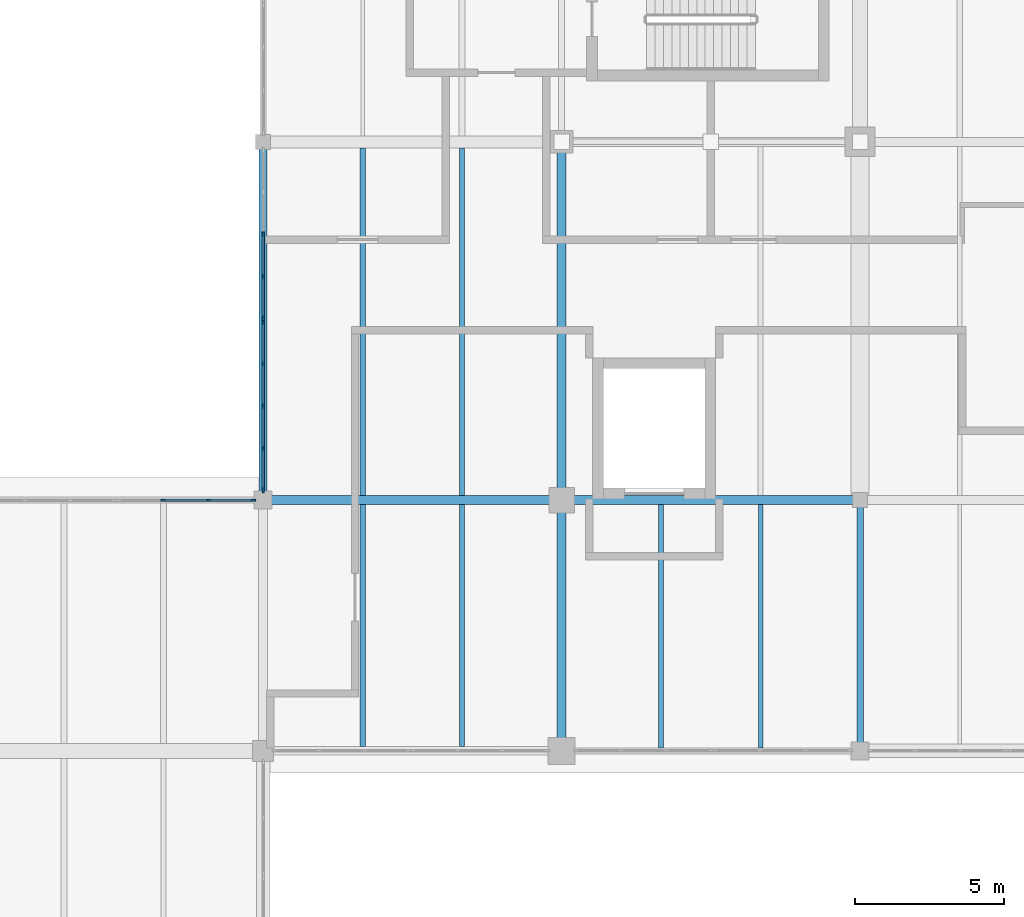
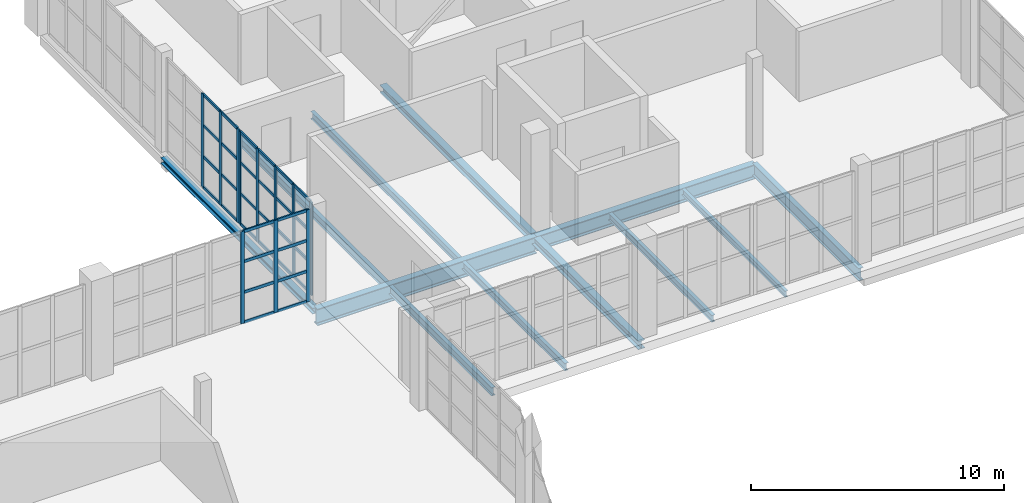
# One storey, part 67 of 121: 43 members, 12 beams, 3 elements without a shape of their own.
"""IFC4 building model written with IfcOpenShell, lengths in metres."""

from ifc_helpers import new_model, si_unit, direction, frame, origin, origin_2d, place, context, subcontext, project, spatial, rectangle, i_section, extrude, material, layer, layer_set, material_profile, profile_set, type_object, element, aggregate, save


model = new_model("IFC4")

# Units and contexts
model_context = context("Model", 3, precision=1e-05, world=origin(), true_north=direction((0.0, 1.0)))
body_context = subcontext(model_context, "Body", "Model", "MODEL_VIEW")
ifc_project = project(units=[si_unit("LENGTHUNIT", "METRE"), si_unit("AREAUNIT", "SQUARE_METRE"), si_unit("VOLUMEUNIT", "CUBIC_METRE"), si_unit("PLANEANGLEUNIT", "RADIAN"), si_unit("MASSUNIT", "GRAM", prefix="KILO")], contexts=[model_context])

# Site, building, storey
site_placement = place(None, origin())
site = spatial("IfcSite", under=ifc_project, at=site_placement, CompositionType="ELEMENT")
building_placement = place(site_placement, origin())
building = spatial("IfcBuilding", under=site, at=building_placement, Name="Zereglee Splitstone Museum", CompositionType="ELEMENT")
storey_placement = place(building_placement, origin())
storey = spatial("IfcBuildingStorey", under=building, at=storey_placement, Name="L00", CompositionType="ELEMENT", Elevation=0.0)

# Curtain wall, members
ifc_material_1 = material(Name="Triple-glazed low-E argon glass and bronze-anodised aluminium", Category="aluminium")
ifc_layer_1 = layer(ifc_material_1, 0.179931640625)
ifc_layer_set_1 = layer_set([ifc_layer_1], Name="Triple-glazed low-E argon glass and bronze-anodised aluminium")
curtain_wall_type_1 = type_object("IfcCurtainWallType", Name="CW-0568-450", PredefinedType="USERDEFINED", material=ifc_layer_set_1)
curtain_wall_1_placement = place(storey_placement, origin())
curtain_wall_1 = element("IfcCurtainWall", 1, at=curtain_wall_1_placement, inside=storey, type_object=curtain_wall_type_1, Name="Glazed Curtain Wall CW-0568-450 (L00)", ObjectType="GLAZED CURTAIN WALL", PredefinedType="USERDEFINED")
ifc_material_2 = material(Name="Thermally broken bronze-anodised aluminium", Category="aluminium")
ifc_material_profile_1 = material_profile(ifc_material_2, rectangle(XDim=0.06494140625, YDim=0.179931640625, at=origin_2d()), Name="CW MULL 65x180")
ifc_profile_set_1 = profile_set([ifc_material_profile_1], Name="Thermally broken bronze-anodised aluminium")
member_type_1 = type_object("IfcMemberType", Name="CWM-01", PredefinedType="MULLION", material=ifc_profile_set_1)
member_1_placement = place(storey_placement, frame((296.0, 47.303466796875, 0.0), z_axis=(0.0, 0.0, 1.0), x_axis=(1.0, 0.0, 0.0)))
member_1 = element("IfcMember", 2, at=member_1_placement, type_object=member_type_1, Name="CW-0568-450 mullion 3", PredefinedType="MULLION", context=body_context, shape_type="SweptSolid", body=[
    extrude(rectangle(XDim=0.06494140625, YDim=0.179931640625, at=origin_2d()), origin(), (0.0, 0.0, 1.0), 4.5),
])
member_2_placement = place(storey_placement, frame((296.0, 45.88427734375, 0.0), z_axis=(0.0, 0.0, 1.0), x_axis=(1.0, 0.0, 0.0)))
member_2 = element("IfcMember", 3, at=member_2_placement, type_object=member_type_1, Name="CW-0568-450 mullion 4", PredefinedType="MULLION", context=body_context, shape_type="SweptSolid", body=[
    extrude(rectangle(XDim=0.06494140625, YDim=0.179931640625, at=origin_2d()), origin(), (0.0, 0.0, 1.0), 4.5),
])
member_3_placement = place(storey_placement, frame((296.0, 44.49755859375, 0.0), z_axis=(0.0, 0.0, 1.0), x_axis=(1.0, 0.0, 0.0)))
member_3 = element("IfcMember", 4, at=member_3_placement, type_object=member_type_1, Name="CW-0568-450 mullion 5", PredefinedType="MULLION", context=body_context, shape_type="SweptSolid", body=[
    extrude(rectangle(XDim=0.06494140625, YDim=0.179931640625, at=origin_2d()), origin(), (0.0, 0.0, 1.0), 4.5),
])

ifc_layer_2 = layer(ifc_material_1, 0.179931640625)
ifc_layer_set_2 = layer_set([ifc_layer_2], Name="Triple-glazed low-E argon glass and bronze-anodised aluminium")
curtain_wall_type_2 = type_object("IfcCurtainWallType", Name="CW-0568-448", PredefinedType="USERDEFINED", material=ifc_layer_set_2)
curtain_wall_2_placement = place(storey_placement, origin())
curtain_wall_2 = element("IfcCurtainWall", 5, at=curtain_wall_2_placement, inside=storey, type_object=curtain_wall_type_2, Name="Glazed Curtain Wall CW-0568-448 (L00)", ObjectType="GLAZED CURTAIN WALL", PredefinedType="USERDEFINED")
member_4_placement = place(storey_placement, frame((296.0, 44.3525390625, 0.0), z_axis=(0.0, 0.0, 1.0), x_axis=(1.0, 0.0, 0.0)))
member_4 = element("IfcMember", 6, at=member_4_placement, type_object=member_type_1, Name="CW-0568-448 mullion 1", PredefinedType="MULLION", context=body_context, shape_type="SweptSolid", body=[
    extrude(rectangle(XDim=0.06494140625, YDim=0.179931640625, at=origin_2d()), origin(), (0.0, 0.0, 1.0), 4.47998046875),
])
member_5_placement = place(storey_placement, frame((296.0, 42.9658203125, 0.0), z_axis=(0.0, 0.0, 1.0), x_axis=(1.0, 0.0, 0.0)))
member_5 = element("IfcMember", 7, at=member_5_placement, type_object=member_type_1, Name="CW-0568-448 mullion 2", PredefinedType="MULLION", context=body_context, shape_type="SweptSolid", body=[
    extrude(rectangle(XDim=0.06494140625, YDim=0.179931640625, at=origin_2d()), origin(), (0.0, 0.0, 1.0), 4.47998046875),
])
member_6_placement = place(storey_placement, frame((296.0, 41.54638671875, 0.0), z_axis=(0.0, 0.0, 1.0), x_axis=(1.0, 0.0, 0.0)))
member_6 = element("IfcMember", 8, at=member_6_placement, type_object=member_type_1, Name="CW-0568-448 mullion 3", PredefinedType="MULLION", context=body_context, shape_type="SweptSolid", body=[
    extrude(rectangle(XDim=0.06494140625, YDim=0.179931640625, at=origin_2d()), origin(), (0.0, 0.0, 1.0), 4.47998046875),
])
member_7_placement = place(storey_placement, frame((296.0, 40.127197265625, 0.0), z_axis=(0.0, 0.0, 1.0), x_axis=(1.0, 0.0, 0.0)))
member_7 = element("IfcMember", 9, at=member_7_placement, type_object=member_type_1, Name="CW-0568-448 mullion 4", PredefinedType="MULLION", context=body_context, shape_type="SweptSolid", body=[
    extrude(rectangle(XDim=0.06494140625, YDim=0.179931640625, at=origin_2d()), origin(), (0.0, 0.0, 1.0), 4.47998046875),
])
member_8_placement = place(storey_placement, frame((296.0, 38.740478515625, 0.0), z_axis=(0.0, 0.0, 1.0), x_axis=(1.0, 0.0, 0.0)))
member_8 = element("IfcMember", 10, at=member_8_placement, type_object=member_type_1, Name="CW-0568-448 mullion 5", PredefinedType="MULLION", context=body_context, shape_type="SweptSolid", body=[
    extrude(rectangle(XDim=0.06494140625, YDim=0.179931640625, at=origin_2d()), origin(), (0.0, 0.0, 1.0), 4.47998046875),
])

ifc_layer_3 = layer(ifc_material_1, 0.179931640625)
ifc_layer_set_3 = layer_set([ifc_layer_3], Name="Triple-glazed low-E argon glass and bronze-anodised aluminium")
curtain_wall_type_3 = type_object("IfcCurtainWallType", Name="CW-0455-444", PredefinedType="USERDEFINED", material=ifc_layer_set_3)
curtain_wall_3_placement = place(storey_placement, origin())
curtain_wall_3 = element("IfcCurtainWall", 11, at=curtain_wall_3_placement, inside=storey, type_object=curtain_wall_type_3, Name="Glazed Curtain Wall CW-0455-444 (L00)", ObjectType="GLAZED CURTAIN WALL", PredefinedType="USERDEFINED")
member_9_placement = place(storey_placement, frame((295.659423828125, 38.39990234375, 0.0), z_axis=(0.0, 0.0, 1.0), x_axis=(0.0, -1.0, 0.0)))
member_9 = element("IfcMember", 12, at=member_9_placement, type_object=member_type_1, Name="CW-0455-444 mullion 1", PredefinedType="MULLION", context=body_context, shape_type="SweptSolid", body=[
    extrude(rectangle(XDim=0.06494140625, YDim=0.179931640625, at=origin_2d()), origin(), (0.0, 0.0, 1.0), 4.43994140625),
])
member_10_placement = place(storey_placement, frame((294.174560546875, 38.39990234375, 0.0), z_axis=(0.0, 0.0, 1.0), x_axis=(0.0, -1.0, 0.0)))
member_10 = element("IfcMember", 13, at=member_10_placement, type_object=member_type_1, Name="CW-0455-444 mullion 2", PredefinedType="MULLION", context=body_context, shape_type="SweptSolid", body=[
    extrude(rectangle(XDim=0.06494140625, YDim=0.179931640625, at=origin_2d()), origin(), (0.0, 0.0, 1.0), 4.43994140625),
])
member_11_placement = place(storey_placement, frame((292.6572265625, 38.39990234375, 0.0), z_axis=(0.0, 0.0, 1.0), x_axis=(0.0, -1.0, 0.0)))
member_11 = element("IfcMember", 14, at=member_11_placement, type_object=member_type_1, Name="CW-0455-444 mullion 3", PredefinedType="MULLION", context=body_context, shape_type="SweptSolid", body=[
    extrude(rectangle(XDim=0.06494140625, YDim=0.179931640625, at=origin_2d()), origin(), (0.0, 0.0, 1.0), 4.43994140625),
])

# Member
ifc_material_profile_2 = material_profile(ifc_material_2, rectangle(XDim=0.06494140625, YDim=0.139892578125, at=origin_2d()), Name="CW TRAN 65x140")
ifc_profile_set_2 = profile_set([ifc_material_profile_2], Name="Thermally broken bronze-anodised aluminium")
member_type_2 = type_object("IfcMemberType", Name="CWT-01", PredefinedType="USERDEFINED", material=ifc_profile_set_2)
member_12_placement = place(storey_placement, frame((296.0, 47.27099609375, 0.032470703125), z_axis=(0.0, -1.0, 0.0), x_axis=(1.0, 0.0, 0.0)))
member_12 = element("IfcMember", 15, at=member_12_placement, type_object=member_type_2, Name="CW-0568-450 transom 3.1", ObjectType="TRANSOM", PredefinedType="USERDEFINED", context=body_context, shape_type="SweptSolid", body=[
    extrude(rectangle(XDim=0.06494140625, YDim=0.139892578125, at=origin_2d()), origin(), (0.0, 0.0, 1.0), 1.354248046875),
])

member_13_placement = place(storey_placement, frame((296.0, 47.27099609375, 1.5), z_axis=(0.0, -1.0, 0.0), x_axis=(1.0, 0.0, 0.0)))
member_13 = element("IfcMember", 16, at=member_13_placement, type_object=member_type_2, Name="CW-0568-450 transom 3.2", ObjectType="TRANSOM", PredefinedType="USERDEFINED", context=body_context, shape_type="SweptSolid", body=[
    extrude(rectangle(XDim=0.06494140625, YDim=0.139892578125, at=origin_2d()), origin(), (0.0, 0.0, 1.0), 1.354248046875),
])

member_14_placement = place(storey_placement, frame((296.0, 47.27099609375, 3.0), z_axis=(0.0, -1.0, 0.0), x_axis=(1.0, 0.0, 0.0)))
member_14 = element("IfcMember", 17, at=member_14_placement, type_object=member_type_2, Name="CW-0568-450 transom 3.3", ObjectType="TRANSOM", PredefinedType="USERDEFINED", context=body_context, shape_type="SweptSolid", body=[
    extrude(rectangle(XDim=0.06494140625, YDim=0.139892578125, at=origin_2d()), origin(), (0.0, 0.0, 1.0), 1.354248046875),
])

member_15_placement = place(storey_placement, frame((296.0, 47.27099609375, 4.467529296875), z_axis=(0.0, -1.0, 0.0), x_axis=(1.0, 0.0, 0.0)))
member_15 = element("IfcMember", 18, at=member_15_placement, type_object=member_type_2, Name="CW-0568-450 transom 3.4", ObjectType="TRANSOM", PredefinedType="USERDEFINED", context=body_context, shape_type="SweptSolid", body=[
    extrude(rectangle(XDim=0.06494140625, YDim=0.139892578125, at=origin_2d()), origin(), (0.0, 0.0, 1.0), 1.354248046875),
])

member_16_placement = place(storey_placement, frame((296.0, 45.851806640625, 0.032470703125), z_axis=(0.0, -1.0, 0.0), x_axis=(1.0, 0.0, 0.0)))
member_16 = element("IfcMember", 19, at=member_16_placement, type_object=member_type_2, Name="CW-0568-450 transom 4.1", ObjectType="TRANSOM", PredefinedType="USERDEFINED", context=body_context, shape_type="SweptSolid", body=[
    extrude(rectangle(XDim=0.06494140625, YDim=0.139892578125, at=origin_2d()), origin(), (0.0, 0.0, 1.0), 1.32177734375),
])

member_17_placement = place(storey_placement, frame((296.0, 45.851806640625, 1.5), z_axis=(0.0, -1.0, 0.0), x_axis=(1.0, 0.0, 0.0)))
member_17 = element("IfcMember", 20, at=member_17_placement, type_object=member_type_2, Name="CW-0568-450 transom 4.2", ObjectType="TRANSOM", PredefinedType="USERDEFINED", context=body_context, shape_type="SweptSolid", body=[
    extrude(rectangle(XDim=0.06494140625, YDim=0.139892578125, at=origin_2d()), origin(), (0.0, 0.0, 1.0), 1.32177734375),
])

member_18_placement = place(storey_placement, frame((296.0, 45.851806640625, 3.0), z_axis=(0.0, -1.0, 0.0), x_axis=(1.0, 0.0, 0.0)))
member_18 = element("IfcMember", 21, at=member_18_placement, type_object=member_type_2, Name="CW-0568-450 transom 4.3", ObjectType="TRANSOM", PredefinedType="USERDEFINED", context=body_context, shape_type="SweptSolid", body=[
    extrude(rectangle(XDim=0.06494140625, YDim=0.139892578125, at=origin_2d()), origin(), (0.0, 0.0, 1.0), 1.32177734375),
])

member_19_placement = place(storey_placement, frame((296.0, 45.851806640625, 4.467529296875), z_axis=(0.0, -1.0, 0.0), x_axis=(1.0, 0.0, 0.0)))
member_19 = element("IfcMember", 22, at=member_19_placement, type_object=member_type_2, Name="CW-0568-450 transom 4.4", ObjectType="TRANSOM", PredefinedType="USERDEFINED", context=body_context, shape_type="SweptSolid", body=[
    extrude(rectangle(XDim=0.06494140625, YDim=0.139892578125, at=origin_2d()), origin(), (0.0, 0.0, 1.0), 1.32177734375),
])

aggregate(curtain_wall_1, [member_1, member_2, member_3, member_12, member_13, member_14, member_15, member_16, member_17, member_18, member_19])

member_20_placement = place(storey_placement, frame((296.0, 44.320068359375, 0.032470703125), z_axis=(0.0, -1.0, 0.0), x_axis=(1.0, 0.0, 0.0)))
member_20 = element("IfcMember", 23, at=member_20_placement, type_object=member_type_2, Name="CW-0568-448 transom 1.1", ObjectType="TRANSOM", PredefinedType="USERDEFINED", context=body_context, shape_type="SweptSolid", body=[
    extrude(rectangle(XDim=0.06494140625, YDim=0.139892578125, at=origin_2d()), origin(), (0.0, 0.0, 1.0), 1.32177734375),
])

member_21_placement = place(storey_placement, frame((296.0, 44.320068359375, 1.493408203125), z_axis=(0.0, -1.0, 0.0), x_axis=(1.0, 0.0, 0.0)))
member_21 = element("IfcMember", 24, at=member_21_placement, type_object=member_type_2, Name="CW-0568-448 transom 1.2", ObjectType="TRANSOM", PredefinedType="USERDEFINED", context=body_context, shape_type="SweptSolid", body=[
    extrude(rectangle(XDim=0.06494140625, YDim=0.139892578125, at=origin_2d()), origin(), (0.0, 0.0, 1.0), 1.32177734375),
])

member_22_placement = place(storey_placement, frame((296.0, 44.320068359375, 2.98681640625), z_axis=(0.0, -1.0, 0.0), x_axis=(1.0, 0.0, 0.0)))
member_22 = element("IfcMember", 25, at=member_22_placement, type_object=member_type_2, Name="CW-0568-448 transom 1.3", ObjectType="TRANSOM", PredefinedType="USERDEFINED", context=body_context, shape_type="SweptSolid", body=[
    extrude(rectangle(XDim=0.06494140625, YDim=0.139892578125, at=origin_2d()), origin(), (0.0, 0.0, 1.0), 1.32177734375),
])

member_23_placement = place(storey_placement, frame((296.0, 44.320068359375, 4.447509765625), z_axis=(0.0, -1.0, 0.0), x_axis=(1.0, 0.0, 0.0)))
member_23 = element("IfcMember", 26, at=member_23_placement, type_object=member_type_2, Name="CW-0568-448 transom 1.4", ObjectType="TRANSOM", PredefinedType="USERDEFINED", context=body_context, shape_type="SweptSolid", body=[
    extrude(rectangle(XDim=0.06494140625, YDim=0.139892578125, at=origin_2d()), origin(), (0.0, 0.0, 1.0), 1.32177734375),
])

member_24_placement = place(storey_placement, frame((296.0, 42.933349609375, 0.032470703125), z_axis=(0.0, -1.0, 0.0), x_axis=(1.0, 0.0, 0.0)))
member_24 = element("IfcMember", 27, at=member_24_placement, type_object=member_type_2, Name="CW-0568-448 transom 2.1", ObjectType="TRANSOM", PredefinedType="USERDEFINED", context=body_context, shape_type="SweptSolid", body=[
    extrude(rectangle(XDim=0.06494140625, YDim=0.139892578125, at=origin_2d()), origin(), (0.0, 0.0, 1.0), 1.354248046875),
])

member_25_placement = place(storey_placement, frame((296.0, 42.933349609375, 1.493408203125), z_axis=(0.0, -1.0, 0.0), x_axis=(1.0, 0.0, 0.0)))
member_25 = element("IfcMember", 28, at=member_25_placement, type_object=member_type_2, Name="CW-0568-448 transom 2.2", ObjectType="TRANSOM", PredefinedType="USERDEFINED", context=body_context, shape_type="SweptSolid", body=[
    extrude(rectangle(XDim=0.06494140625, YDim=0.139892578125, at=origin_2d()), origin(), (0.0, 0.0, 1.0), 1.354248046875),
])

member_26_placement = place(storey_placement, frame((296.0, 42.933349609375, 2.98681640625), z_axis=(0.0, -1.0, 0.0), x_axis=(1.0, 0.0, 0.0)))
member_26 = element("IfcMember", 29, at=member_26_placement, type_object=member_type_2, Name="CW-0568-448 transom 2.3", ObjectType="TRANSOM", PredefinedType="USERDEFINED", context=body_context, shape_type="SweptSolid", body=[
    extrude(rectangle(XDim=0.06494140625, YDim=0.139892578125, at=origin_2d()), origin(), (0.0, 0.0, 1.0), 1.354248046875),
])

member_27_placement = place(storey_placement, frame((296.0, 42.933349609375, 4.447509765625), z_axis=(0.0, -1.0, 0.0), x_axis=(1.0, 0.0, 0.0)))
member_27 = element("IfcMember", 30, at=member_27_placement, type_object=member_type_2, Name="CW-0568-448 transom 2.4", ObjectType="TRANSOM", PredefinedType="USERDEFINED", context=body_context, shape_type="SweptSolid", body=[
    extrude(rectangle(XDim=0.06494140625, YDim=0.139892578125, at=origin_2d()), origin(), (0.0, 0.0, 1.0), 1.354248046875),
])

member_28_placement = place(storey_placement, frame((296.0, 41.513916015625, 0.032470703125), z_axis=(0.0, -1.0, 0.0), x_axis=(1.0, 0.0, 0.0)))
member_28 = element("IfcMember", 31, at=member_28_placement, type_object=member_type_2, Name="CW-0568-448 transom 3.1", ObjectType="TRANSOM", PredefinedType="USERDEFINED", context=body_context, shape_type="SweptSolid", body=[
    extrude(rectangle(XDim=0.06494140625, YDim=0.139892578125, at=origin_2d()), origin(), (0.0, 0.0, 1.0), 1.354248046875),
])

member_29_placement = place(storey_placement, frame((296.0, 41.513916015625, 1.493408203125), z_axis=(0.0, -1.0, 0.0), x_axis=(1.0, 0.0, 0.0)))
member_29 = element("IfcMember", 32, at=member_29_placement, type_object=member_type_2, Name="CW-0568-448 transom 3.2", ObjectType="TRANSOM", PredefinedType="USERDEFINED", context=body_context, shape_type="SweptSolid", body=[
    extrude(rectangle(XDim=0.06494140625, YDim=0.139892578125, at=origin_2d()), origin(), (0.0, 0.0, 1.0), 1.354248046875),
])

member_30_placement = place(storey_placement, frame((296.0, 41.513916015625, 2.98681640625), z_axis=(0.0, -1.0, 0.0), x_axis=(1.0, 0.0, 0.0)))
member_30 = element("IfcMember", 33, at=member_30_placement, type_object=member_type_2, Name="CW-0568-448 transom 3.3", ObjectType="TRANSOM", PredefinedType="USERDEFINED", context=body_context, shape_type="SweptSolid", body=[
    extrude(rectangle(XDim=0.06494140625, YDim=0.139892578125, at=origin_2d()), origin(), (0.0, 0.0, 1.0), 1.354248046875),
])

member_31_placement = place(storey_placement, frame((296.0, 41.513916015625, 4.447509765625), z_axis=(0.0, -1.0, 0.0), x_axis=(1.0, 0.0, 0.0)))
member_31 = element("IfcMember", 34, at=member_31_placement, type_object=member_type_2, Name="CW-0568-448 transom 3.4", ObjectType="TRANSOM", PredefinedType="USERDEFINED", context=body_context, shape_type="SweptSolid", body=[
    extrude(rectangle(XDim=0.06494140625, YDim=0.139892578125, at=origin_2d()), origin(), (0.0, 0.0, 1.0), 1.354248046875),
])

member_32_placement = place(storey_placement, frame((296.0, 40.0947265625, 0.032470703125), z_axis=(0.0, -1.0, 0.0), x_axis=(1.0, 0.0, 0.0)))
member_32 = element("IfcMember", 35, at=member_32_placement, type_object=member_type_2, Name="CW-0568-448 transom 4.1", ObjectType="TRANSOM", PredefinedType="USERDEFINED", context=body_context, shape_type="SweptSolid", body=[
    extrude(rectangle(XDim=0.06494140625, YDim=0.139892578125, at=origin_2d()), origin(), (0.0, 0.0, 1.0), 1.32177734375),
])

member_33_placement = place(storey_placement, frame((296.0, 40.0947265625, 1.493408203125), z_axis=(0.0, -1.0, 0.0), x_axis=(1.0, 0.0, 0.0)))
member_33 = element("IfcMember", 36, at=member_33_placement, type_object=member_type_2, Name="CW-0568-448 transom 4.2", ObjectType="TRANSOM", PredefinedType="USERDEFINED", context=body_context, shape_type="SweptSolid", body=[
    extrude(rectangle(XDim=0.06494140625, YDim=0.139892578125, at=origin_2d()), origin(), (0.0, 0.0, 1.0), 1.32177734375),
])

member_34_placement = place(storey_placement, frame((296.0, 40.0947265625, 2.98681640625), z_axis=(0.0, -1.0, 0.0), x_axis=(1.0, 0.0, 0.0)))
member_34 = element("IfcMember", 37, at=member_34_placement, type_object=member_type_2, Name="CW-0568-448 transom 4.3", ObjectType="TRANSOM", PredefinedType="USERDEFINED", context=body_context, shape_type="SweptSolid", body=[
    extrude(rectangle(XDim=0.06494140625, YDim=0.139892578125, at=origin_2d()), origin(), (0.0, 0.0, 1.0), 1.32177734375),
])

member_35_placement = place(storey_placement, frame((296.0, 40.0947265625, 4.447509765625), z_axis=(0.0, -1.0, 0.0), x_axis=(1.0, 0.0, 0.0)))
member_35 = element("IfcMember", 38, at=member_35_placement, type_object=member_type_2, Name="CW-0568-448 transom 4.4", ObjectType="TRANSOM", PredefinedType="USERDEFINED", context=body_context, shape_type="SweptSolid", body=[
    extrude(rectangle(XDim=0.06494140625, YDim=0.139892578125, at=origin_2d()), origin(), (0.0, 0.0, 1.0), 1.32177734375),
])

aggregate(curtain_wall_2, [member_4, member_5, member_6, member_7, member_8, member_20, member_21, member_22, member_23, member_24, member_25, member_26, member_27, member_28, member_29, member_30, member_31, member_32, member_33, member_34, member_35])

member_36_placement = place(storey_placement, frame((295.626953125, 38.39990234375, 0.032470703125), z_axis=(-1.0, 0.0, 0.0), x_axis=(0.0, -1.0, 0.0)))
member_36 = element("IfcMember", 39, at=member_36_placement, type_object=member_type_2, Name="CW-0455-444 transom 1.1", ObjectType="TRANSOM", PredefinedType="USERDEFINED", context=body_context, shape_type="SweptSolid", body=[
    extrude(rectangle(XDim=0.06494140625, YDim=0.139892578125, at=origin_2d()), origin(), (0.0, 0.0, 1.0), 1.419677734375),
])

member_37_placement = place(storey_placement, frame((295.626953125, 38.39990234375, 1.47998046875), z_axis=(-1.0, 0.0, 0.0), x_axis=(0.0, -1.0, 0.0)))
member_37 = element("IfcMember", 40, at=member_37_placement, type_object=member_type_2, Name="CW-0455-444 transom 1.2", ObjectType="TRANSOM", PredefinedType="USERDEFINED", context=body_context, shape_type="SweptSolid", body=[
    extrude(rectangle(XDim=0.06494140625, YDim=0.139892578125, at=origin_2d()), origin(), (0.0, 0.0, 1.0), 1.419677734375),
])

member_38_placement = place(storey_placement, frame((295.626953125, 38.39990234375, 2.9599609375), z_axis=(-1.0, 0.0, 0.0), x_axis=(0.0, -1.0, 0.0)))
member_38 = element("IfcMember", 41, at=member_38_placement, type_object=member_type_2, Name="CW-0455-444 transom 1.3", ObjectType="TRANSOM", PredefinedType="USERDEFINED", context=body_context, shape_type="SweptSolid", body=[
    extrude(rectangle(XDim=0.06494140625, YDim=0.139892578125, at=origin_2d()), origin(), (0.0, 0.0, 1.0), 1.419677734375),
])

member_39_placement = place(storey_placement, frame((295.626953125, 38.39990234375, 4.407470703125), z_axis=(-1.0, 0.0, 0.0), x_axis=(0.0, -1.0, 0.0)))
member_39 = element("IfcMember", 42, at=member_39_placement, type_object=member_type_2, Name="CW-0455-444 transom 1.4", ObjectType="TRANSOM", PredefinedType="USERDEFINED", context=body_context, shape_type="SweptSolid", body=[
    extrude(rectangle(XDim=0.06494140625, YDim=0.139892578125, at=origin_2d()), origin(), (0.0, 0.0, 1.0), 1.419677734375),
])

member_40_placement = place(storey_placement, frame((294.14208984375, 38.39990234375, 0.032470703125), z_axis=(-1.0, 0.0, 0.0), x_axis=(0.0, -1.0, 0.0)))
member_40 = element("IfcMember", 43, at=member_40_placement, type_object=member_type_2, Name="CW-0455-444 transom 2.1", ObjectType="TRANSOM", PredefinedType="USERDEFINED", context=body_context, shape_type="SweptSolid", body=[
    extrude(rectangle(XDim=0.06494140625, YDim=0.139892578125, at=origin_2d()), origin(), (0.0, 0.0, 1.0), 1.4521484375),
])

member_41_placement = place(storey_placement, frame((294.14208984375, 38.39990234375, 1.47998046875), z_axis=(-1.0, 0.0, 0.0), x_axis=(0.0, -1.0, 0.0)))
member_41 = element("IfcMember", 44, at=member_41_placement, type_object=member_type_2, Name="CW-0455-444 transom 2.2", ObjectType="TRANSOM", PredefinedType="USERDEFINED", context=body_context, shape_type="SweptSolid", body=[
    extrude(rectangle(XDim=0.06494140625, YDim=0.139892578125, at=origin_2d()), origin(), (0.0, 0.0, 1.0), 1.4521484375),
])

member_42_placement = place(storey_placement, frame((294.14208984375, 38.39990234375, 2.9599609375), z_axis=(-1.0, 0.0, 0.0), x_axis=(0.0, -1.0, 0.0)))
member_42 = element("IfcMember", 45, at=member_42_placement, type_object=member_type_2, Name="CW-0455-444 transom 2.3", ObjectType="TRANSOM", PredefinedType="USERDEFINED", context=body_context, shape_type="SweptSolid", body=[
    extrude(rectangle(XDim=0.06494140625, YDim=0.139892578125, at=origin_2d()), origin(), (0.0, 0.0, 1.0), 1.4521484375),
])

member_43_placement = place(storey_placement, frame((294.14208984375, 38.39990234375, 4.407470703125), z_axis=(-1.0, 0.0, 0.0), x_axis=(0.0, -1.0, 0.0)))
member_43 = element("IfcMember", 46, at=member_43_placement, type_object=member_type_2, Name="CW-0455-444 transom 2.4", ObjectType="TRANSOM", PredefinedType="USERDEFINED", context=body_context, shape_type="SweptSolid", body=[
    extrude(rectangle(XDim=0.06494140625, YDim=0.139892578125, at=origin_2d()), origin(), (0.0, 0.0, 1.0), 1.4521484375),
])

aggregate(curtain_wall_3, [member_9, member_10, member_11, member_36, member_37, member_38, member_39, member_40, member_41, member_42, member_43])

# Beams
ifc_material_3 = material(Name="Steel S355J2", Category="steel")
ifc_material_profile_3 = material_profile(ifc_material_3, i_section(OverallWidth=0.300048828125, OverallDepth=0.360107421875, WebThickness=0.012451171875, FlangeThickness=0.0224609375, FilletRadius=0.027099609375, at=origin_2d()), Name="HE 360 B")
ifc_profile_set_3 = profile_set([ifc_material_profile_3], Name="Steel S355J2")
beam_type_1 = type_object("IfcBeamType", Name="BG-14", PredefinedType="BEAM", material=ifc_profile_set_3)
beam_1_placement = place(storey_placement, frame((306.0, 38.39990234375, -0.60009765625), z_axis=(0.0, 1.0, 0.0), x_axis=(-1.0, 0.0, 0.0)))
element("IfcBeam", 47, at=beam_1_placement, inside=storey, type_object=beam_type_1, Name="Primary Girder L00 34 (38.4-50.4)", PredefinedType="BEAM", context=body_context, shape_type="SweptSolid", body=[
    extrude(i_section(OverallWidth=0.300048828125, OverallDepth=0.360107421875, WebThickness=0.012451171875, FlangeThickness=0.0224609375, FilletRadius=0.027099609375, at=origin_2d()), origin(), (0.0, 0.0, 1.0), 12.0),
])
ifc_material_profile_4 = material_profile(ifc_material_3, i_section(OverallWidth=0.300048828125, OverallDepth=0.39990234375, WebThickness=0.013427734375, FlangeThickness=0.02392578125, FilletRadius=0.027099609375, at=origin_2d()), Name="HE 400 B")
ifc_profile_set_4 = profile_set([ifc_material_profile_4], Name="Steel S355J2")
beam_type_2 = type_object("IfcBeamType", Name="BG-13", PredefinedType="BEAM", material=ifc_profile_set_4)
beam_2_placement = place(storey_placement, frame((306.0, 30.0, -0.6201171875), z_axis=(0.0, 1.0, 0.0), x_axis=(-1.0, 0.0, 0.0)))
element("IfcBeam", 48, at=beam_2_placement, inside=storey, type_object=beam_type_2, Name="Primary Girder L00 34 (30.0-38.4)", PredefinedType="BEAM", context=body_context, shape_type="SweptSolid", body=[
    extrude(i_section(OverallWidth=0.300048828125, OverallDepth=0.39990234375, WebThickness=0.013427734375, FlangeThickness=0.02392578125, FilletRadius=0.027099609375, at=origin_2d()), origin(), (0.0, 0.0, 1.0), 8.39990234375),
])
ifc_material_profile_5 = material_profile(ifc_material_3, i_section(OverallWidth=0.300048828125, OverallDepth=0.699951171875, WebThickness=0.01708984375, FlangeThickness=0.031982421875, FilletRadius=0.027099609375, at=origin_2d()), Name="HE 700 B")
ifc_profile_set_5 = profile_set([ifc_material_profile_5], Name="Steel S355J2")
beam_type_3 = type_object("IfcBeamType", Name="BG-08", PredefinedType="BEAM", material=ifc_profile_set_5)
beam_3_placement = place(storey_placement, frame((306.0, 38.39990234375, -0.77001953125), z_axis=(1.0, 0.0, 0.0), x_axis=(0.0, 1.0, 0.0)))
element("IfcBeam", 49, at=beam_3_placement, inside=storey, type_object=beam_type_3, Name="Primary Girder L00 E (306.0-316.0)", PredefinedType="BEAM", context=body_context, shape_type="SweptSolid", body=[
    extrude(i_section(OverallWidth=0.300048828125, OverallDepth=0.699951171875, WebThickness=0.01708984375, FlangeThickness=0.031982421875, FilletRadius=0.027099609375, at=origin_2d()), origin(), (0.0, 0.0, 1.0), 10.0),
])
ifc_material_profile_6 = material_profile(ifc_material_3, i_section(OverallWidth=0.300048828125, OverallDepth=0.800048828125, WebThickness=0.017578125, FlangeThickness=0.032958984375, FilletRadius=0.030029296875, at=origin_2d()), Name="HE 800 B")
ifc_profile_set_6 = profile_set([ifc_material_profile_6], Name="Steel S355J2")
beam_type_4 = type_object("IfcBeamType", Name="BG-07", PredefinedType="BEAM", material=ifc_profile_set_6)
beam_4_placement = place(storey_placement, frame((296.0, 38.39990234375, -0.820068359375), z_axis=(1.0, 0.0, 0.0), x_axis=(0.0, 1.0, 0.0)))
element("IfcBeam", 50, at=beam_4_placement, inside=storey, type_object=beam_type_4, Name="Primary Girder L00 E (296.0-306.0)", PredefinedType="BEAM", context=body_context, shape_type="SweptSolid", body=[
    extrude(i_section(OverallWidth=0.300048828125, OverallDepth=0.800048828125, WebThickness=0.017578125, FlangeThickness=0.032958984375, FilletRadius=0.030029296875, at=origin_2d()), origin(), (0.0, 0.0, 1.0), 10.0),
])
ifc_material_profile_7 = material_profile(ifc_material_3, i_section(OverallWidth=0.219970703125, OverallDepth=0.60009765625, WebThickness=0.011962890625, FlangeThickness=0.01904296875, FilletRadius=0.02392578125, at=origin_2d()), Name="IPE 600")
ifc_profile_set_7 = profile_set([ifc_material_profile_7], Name="Steel S355J2")
beam_type_5 = type_object("IfcBeamType", Name="BG-15", PredefinedType="BEAM", material=ifc_profile_set_7)
beam_5_placement = place(storey_placement, frame((316.0, 30.0, -0.719970703125), z_axis=(0.0, 1.0, 0.0), x_axis=(-1.0, 0.0, 0.0)))
element("IfcBeam", 51, at=beam_5_placement, inside=storey, type_object=beam_type_5, Name="Primary Girder L00 35 (30.0-38.4)", PredefinedType="BEAM", context=body_context, shape_type="SweptSolid", body=[
    extrude(i_section(OverallWidth=0.219970703125, OverallDepth=0.60009765625, WebThickness=0.011962890625, FlangeThickness=0.01904296875, FilletRadius=0.02392578125, at=origin_2d()), origin(), (0.0, 0.0, 1.0), 8.39990234375),
])
ifc_material_profile_8 = material_profile(ifc_material_3, i_section(OverallWidth=0.14990234375, OverallDepth=0.300048828125, WebThickness=0.007080078125, FlangeThickness=0.0107421875, FilletRadius=0.014892578125, at=origin_2d()), Name="IPE 300")
ifc_profile_set_8 = profile_set([ifc_material_profile_8], Name="Steel S355J2")
beam_type_6 = type_object("IfcBeamType", Name="BJ-06", PredefinedType="JOIST", material=ifc_profile_set_8)
beam_6_placement = place(storey_placement, frame((312.666748046875, 30.10009765625, -0.570068359375), z_axis=(0.0, 1.0, 0.0), x_axis=(-1.0, 0.0, 0.0)))
element("IfcBeam", 52, at=beam_6_placement, inside=storey, type_object=beam_type_6, Name="Secondary Floor Joist L00-0390", PredefinedType="JOIST", context=body_context, shape_type="SweptSolid", body=[
    extrude(i_section(OverallWidth=0.14990234375, OverallDepth=0.300048828125, WebThickness=0.007080078125, FlangeThickness=0.0107421875, FilletRadius=0.014892578125, at=origin_2d()), origin(), (0.0, 0.0, 1.0), 8.14990234375),
])
ifc_material_profile_9 = material_profile(ifc_material_3, i_section(OverallWidth=0.159912109375, OverallDepth=0.330078125, WebThickness=0.007568359375, FlangeThickness=0.011474609375, FilletRadius=0.01806640625, at=origin_2d()), Name="IPE 330")
ifc_profile_set_9 = profile_set([ifc_material_profile_9], Name="Steel S355J2")
beam_type_7 = type_object("IfcBeamType", Name="BJ-05", PredefinedType="JOIST", material=ifc_profile_set_9)
beam_7_placement = place(storey_placement, frame((309.333251953125, 30.10009765625, -0.5849609375), z_axis=(0.0, 1.0, 0.0), x_axis=(-1.0, 0.0, 0.0)))
element("IfcBeam", 53, at=beam_7_placement, inside=storey, type_object=beam_type_7, Name="Secondary Floor Joist L00-0389", PredefinedType="JOIST", context=body_context, shape_type="SweptSolid", body=[
    extrude(i_section(OverallWidth=0.159912109375, OverallDepth=0.330078125, WebThickness=0.007568359375, FlangeThickness=0.011474609375, FilletRadius=0.01806640625, at=origin_2d()), origin(), (0.0, 0.0, 1.0), 8.14990234375),
])
ifc_material_profile_10 = material_profile(ifc_material_3, i_section(OverallWidth=0.169921875, OverallDepth=0.360107421875, WebThickness=0.008056640625, FlangeThickness=0.0126953125, FilletRadius=0.01806640625, at=origin_2d()), Name="IPE 360")
ifc_profile_set_10 = profile_set([ifc_material_profile_10], Name="Steel S355J2")
beam_type_8 = type_object("IfcBeamType", Name="BJ-04", PredefinedType="JOIST", material=ifc_profile_set_10)
beam_8_placement = place(storey_placement, frame((302.666748046875, 30.139892578125, -0.60009765625), z_axis=(0.0, 1.0, 0.0), x_axis=(-1.0, 0.0, 0.0)))
element("IfcBeam", 54, at=beam_8_placement, inside=storey, type_object=beam_type_8, Name="Secondary Floor Joist L00-0388", PredefinedType="JOIST", context=body_context, shape_type="SweptSolid", body=[
    extrude(i_section(OverallWidth=0.169921875, OverallDepth=0.360107421875, WebThickness=0.008056640625, FlangeThickness=0.0126953125, FilletRadius=0.01806640625, at=origin_2d()), origin(), (0.0, 0.0, 1.0), 8.110107421875),
])
beam_9_placement = place(storey_placement, frame((302.666748046875, 38.550048828125, -0.60009765625), z_axis=(0.0, 1.0, 0.0), x_axis=(-1.0, 0.0, 0.0)))
element("IfcBeam", 55, at=beam_9_placement, inside=storey, type_object=beam_type_8, Name="Secondary Floor Joist L00-0409", PredefinedType="JOIST", context=body_context, shape_type="SweptSolid", body=[
    extrude(i_section(OverallWidth=0.169921875, OverallDepth=0.360107421875, WebThickness=0.008056640625, FlangeThickness=0.0126953125, FilletRadius=0.01806640625, at=origin_2d()), origin(), (0.0, 0.0, 1.0), 11.64990234375),
])
ifc_material_profile_11 = material_profile(ifc_material_3, i_section(OverallWidth=0.179931640625, OverallDepth=0.39990234375, WebThickness=0.008544921875, FlangeThickness=0.013427734375, FilletRadius=0.02099609375, at=origin_2d()), Name="IPE 400")
ifc_profile_set_11 = profile_set([ifc_material_profile_11], Name="Steel S355J2")
beam_type_9 = type_object("IfcBeamType", Name="BJ-03", PredefinedType="JOIST", material=ifc_profile_set_11)
beam_10_placement = place(storey_placement, frame((299.333251953125, 30.139892578125, -0.6201171875), z_axis=(0.0, 1.0, 0.0), x_axis=(-1.0, 0.0, 0.0)))
element("IfcBeam", 56, at=beam_10_placement, inside=storey, type_object=beam_type_9, Name="Secondary Floor Joist L00-0387", PredefinedType="JOIST", context=body_context, shape_type="SweptSolid", body=[
    extrude(i_section(OverallWidth=0.179931640625, OverallDepth=0.39990234375, WebThickness=0.008544921875, FlangeThickness=0.013427734375, FilletRadius=0.02099609375, at=origin_2d()), origin(), (0.0, 0.0, 1.0), 8.110107421875),
])
beam_11_placement = place(storey_placement, frame((299.333251953125, 38.550048828125, -0.6201171875), z_axis=(0.0, 1.0, 0.0), x_axis=(-1.0, 0.0, 0.0)))
element("IfcBeam", 57, at=beam_11_placement, inside=storey, type_object=beam_type_9, Name="Secondary Floor Joist L00-0408", PredefinedType="JOIST", context=body_context, shape_type="SweptSolid", body=[
    extrude(i_section(OverallWidth=0.179931640625, OverallDepth=0.39990234375, WebThickness=0.008544921875, FlangeThickness=0.013427734375, FilletRadius=0.02099609375, at=origin_2d()), origin(), (0.0, 0.0, 1.0), 11.64990234375),
])
ifc_material_profile_12 = material_profile(ifc_material_3, i_section(OverallWidth=0.280029296875, OverallDepth=0.280029296875, WebThickness=0.010498046875, FlangeThickness=0.01806640625, FilletRadius=0.02392578125, at=origin_2d()), Name="HE 280 B")
ifc_profile_set_12 = profile_set([ifc_material_profile_12], Name="Steel S355J2")
beam_type_10 = type_object("IfcBeamType", Name="SP-03", PredefinedType="SPANDREL", material=ifc_profile_set_12)
beam_12_placement = place(storey_placement, frame((296.0, 38.39990234375, -0.56005859375), z_axis=(0.0, 1.0, 0.0), x_axis=(-1.0, 0.0, 0.0)))
element("IfcBeam", 58, at=beam_12_placement, inside=storey, type_object=beam_type_10, Name="Primary Girder L00 33 (38.4-50.4)", PredefinedType="SPANDREL", context=body_context, shape_type="SweptSolid", body=[
    extrude(i_section(OverallWidth=0.280029296875, OverallDepth=0.280029296875, WebThickness=0.010498046875, FlangeThickness=0.01806640625, FilletRadius=0.02392578125, at=origin_2d()), origin(), (0.0, 0.0, 1.0), 12.0),
])

save(model, "model.ifc")
